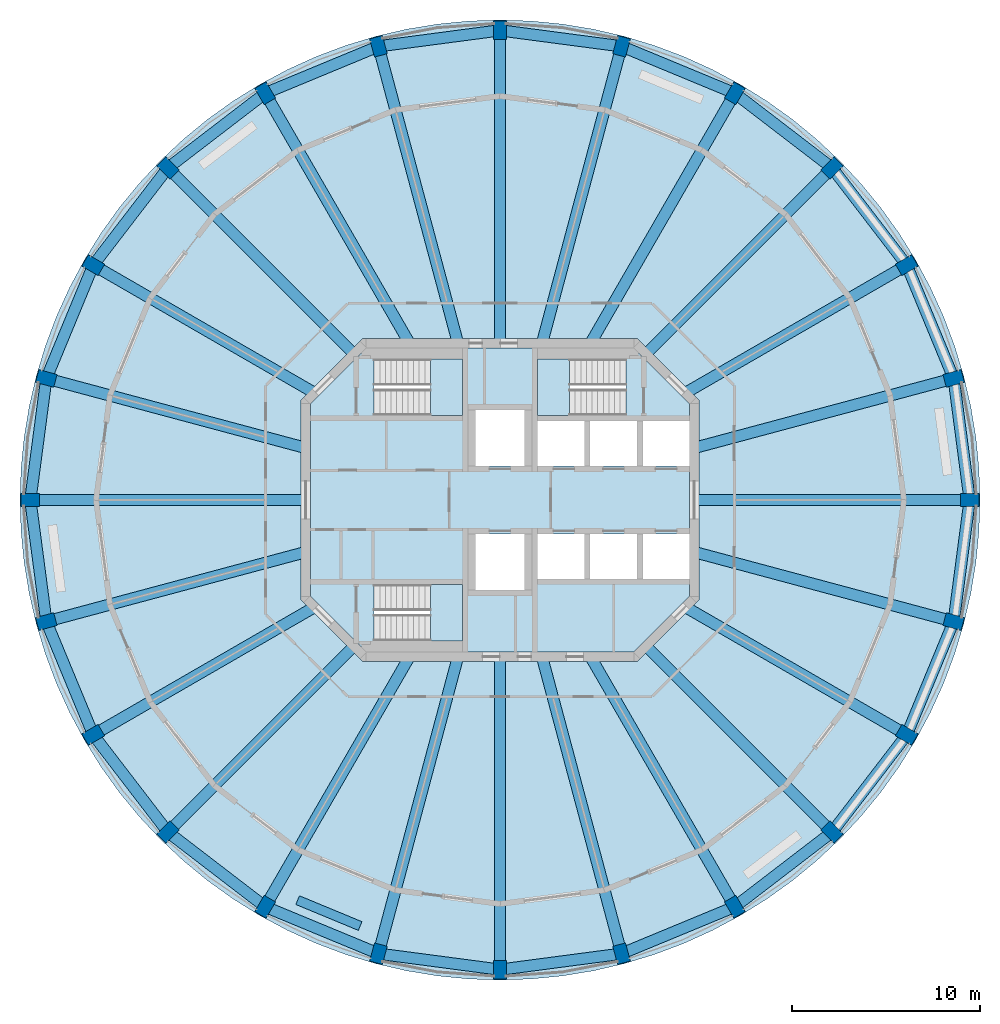
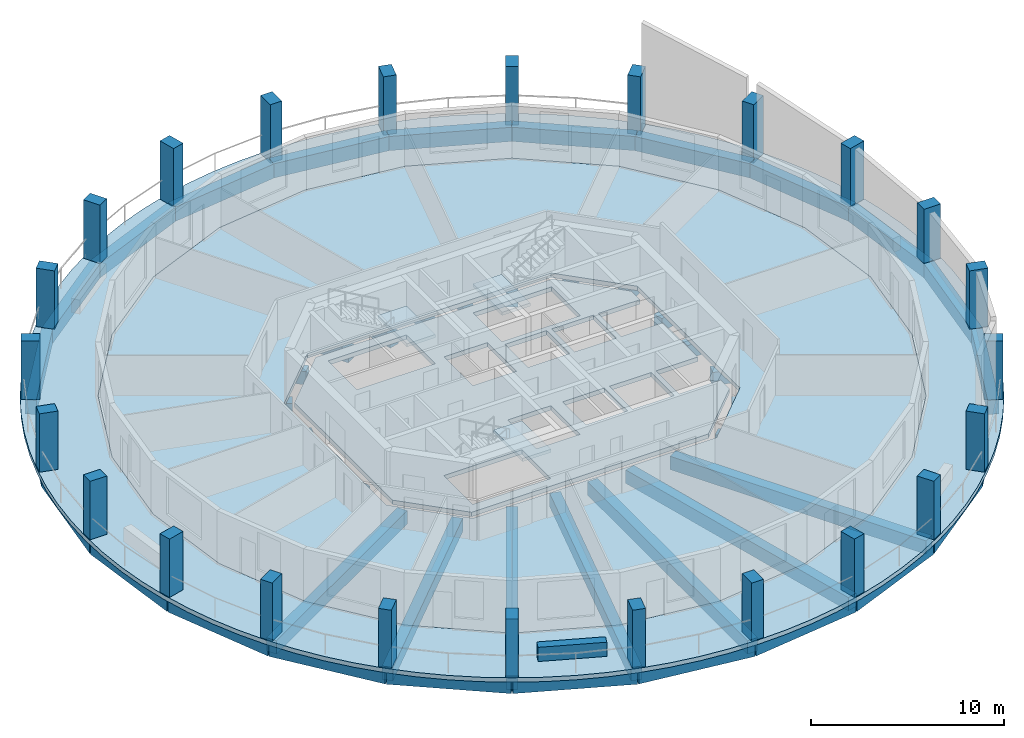
# One storey, part 1 of 8: 48 beams, 24 columns, 6 slabs, 1 wall, 3 elements without a shape of their own.
"""IFC4 building model written with IfcOpenShell, lengths in metres."""

from ifc_helpers import new_model, si_unit, direction, frame, frame_2d, origin, origin_2d, place, context, subcontext, project, spatial, polyline, rectangle, outline, extrude, material, layer, layer_set, material_profile, profile_set, type_object, element, aggregate, save


model = new_model("IFC4")

# Units and contexts
model_context = context("Model", 3, precision=1e-05, world=origin(), true_north=direction((0.0, 1.0)))
body_context = subcontext(model_context, "Body", "Model", "MODEL_VIEW")
ifc_project = project(units=[si_unit("LENGTHUNIT", "METRE"), si_unit("AREAUNIT", "SQUARE_METRE"), si_unit("VOLUMEUNIT", "CUBIC_METRE"), si_unit("PLANEANGLEUNIT", "RADIAN"), si_unit("MASSUNIT", "GRAM", prefix="KILO")], contexts=[model_context])

# Site, building, storey
site_placement = place(None, origin())
site = spatial("IfcSite", under=ifc_project, at=site_placement, CompositionType="ELEMENT")
building_placement = place(site_placement, origin())
building = spatial("IfcBuilding", under=site, at=building_placement, Name="Torre Triforio", CompositionType="ELEMENT")
storey_placement = place(building_placement, frame((0.0, 0.0, 287.10009765625)))
storey = spatial("IfcBuildingStorey", under=building, at=storey_placement, Name="L66", CompositionType="ELEMENT", Elevation=287.10009765625)

# Columns
ifc_material_1 = material(Name="Concrete C40", Category="concrete")
ifc_material_profile_1 = material_profile(ifc_material_1, rectangle(XDim=0.699951171875, YDim=1.0, at=origin_2d()), Name="RC 700x1000")
ifc_profile_set_1 = profile_set([ifc_material_profile_1], Name="Concrete C40")
column_type = type_object("IfcColumnType", Name="Pier RC 700x1000 C40", PredefinedType="COLUMN", material=ifc_profile_set_1)
column_placement = place(storey_placement, frame((25.0, 0.0, 0.0), z_axis=(0.0, 0.0, 1.0), x_axis=(0.0, 1.0, 0.0)))
element("IfcColumn", 1, at=column_placement, inside=storey, type_object=column_type, Name="COL.R.L66.00", PredefinedType="COLUMN", context=body_context, shape_type="SweptSolid", body=[
    extrude(rectangle(XDim=0.699951171875, YDim=1.0, at=origin_2d()), origin(), (0.0, 0.0, 1.0), 3.44140625),
])
for number, where, z_axis, x_axis, name in (
    (2, (24.148193359375, 6.470458984375, 0.0), (0.0, 0.0, 1.0), (-0.258819045103, 0.965925826289, 0.0), "COL.R.L66.01"),
    (3, (21.650634765625, 12.5, 0.0), (0.0, 0.0, 1.0), (-0.5, 0.866025403784, 0.0), "COL.R.L66.02"),
    (4, (17.677734375, 17.677734375, 0.0), (0.0, 0.0, 1.0), (-0.707106781187, 0.707106781187, 0.0), "COL.R.L66.03"),
    (5, (12.5, 21.650634765625, 0.0), (0.0, 0.0, 1.0), (-0.866025403784, 0.5, 0.0), "COL.R.L66.04"),
    (6, (6.470458984375, 24.148193359375, 0.0), (0.0, 0.0, 1.0), (-0.965925826289, 0.258819045103, 0.0), "COL.R.L66.05"),
    (7, (0.0, 25.0, 0.0), (0.0, 0.0, 1.0), (-1.0, 0.0, 0.0), "COL.R.L66.06"),
    (8, (-6.470458984375, 24.148193359375, 0.0), (0.0, 0.0, 1.0), (-0.965925826289, -0.258819045103, 0.0), "COL.R.L66.07"),
    (9, (-12.5, 21.650634765625, 0.0), (0.0, 0.0, 1.0), (-0.866025403784, -0.5, 0.0), "COL.R.L66.08"),
    (10, (-17.677734375, 17.677734375, 0.0), (0.0, 0.0, 1.0), (-0.707106781187, -0.707106781187, 0.0), "COL.R.L66.09"),
    (11, (-21.650634765625, 12.5, 0.0), (0.0, 0.0, 1.0), (-0.5, -0.866025403784, 0.0), "COL.R.L66.10"),
    (12, (-24.148193359375, 6.470458984375, 0.0), (0.0, 0.0, 1.0), (-0.258819045103, -0.965925826289, 0.0), "COL.R.L66.11"),
    (13, (-25.0, 0.0, 0.0), (0.0, 0.0, 1.0), (0.0, -1.0, 0.0), "COL.R.L66.12"),
    (14, (-24.148193359375, -6.470458984375, 0.0), (0.0, 0.0, 1.0), (0.258819045103, -0.965925826289, 0.0), "COL.R.L66.13"),
    (15, (-21.650634765625, -12.5, 0.0), (0.0, 0.0, 1.0), (0.5, -0.866025403784, 0.0), "COL.R.L66.14"),
    (16, (-17.677734375, -17.677734375, 0.0), (0.0, 0.0, 1.0), (0.707106781187, -0.707106781187, 0.0), "COL.R.L66.15"),
    (17, (-12.5, -21.650634765625, 0.0), (0.0, 0.0, 1.0), (0.866025403784, -0.5, 0.0), "COL.R.L66.16"),
    (18, (-6.470458984375, -24.148193359375, 0.0), (0.0, 0.0, 1.0), (0.965925826289, -0.258819045103, 0.0), "COL.R.L66.17"),
    (19, (0.0, -25.0, 0.0), (0.0, 0.0, 1.0), (1.0, 0.0, 0.0), "COL.R.L66.18"),
    (20, (6.470458984375, -24.148193359375, 0.0), (0.0, 0.0, 1.0), (0.965925826289, 0.258819045103, 0.0), "COL.R.L66.19"),
    (21, (12.5, -21.650634765625, 0.0), (0.0, 0.0, 1.0), (0.866025403784, 0.5, 0.0), "COL.R.L66.20"),
    (22, (17.677734375, -17.677734375, 0.0), (0.0, 0.0, 1.0), (0.707106781187, 0.707106781187, 0.0), "COL.R.L66.21"),
    (23, (21.650634765625, -12.5, 0.0), (0.0, 0.0, 1.0), (0.5, 0.866025403784, 0.0), "COL.R.L66.22"),
    (24, (24.148193359375, -6.470458984375, 0.0), (0.0, 0.0, 1.0), (0.258819045103, 0.965925826289, 0.0), "COL.R.L66.23"),
):
    element("IfcColumn", number, at=place(storey_placement, frame(where, z_axis=z_axis, x_axis=x_axis)), inside=storey, type_object=column_type, Name=name, PredefinedType="COLUMN", context=body_context, shape_type="SweptSolid", body=[
        extrude(rectangle(XDim=0.699951171875, YDim=1.0, at=origin_2d()), origin(), (0.0, 0.0, 1.0), 3.699951171875),
    ])

# Beams
ifc_material_profile_2 = material_profile(ifc_material_1, rectangle(XDim=0.60009765625, YDim=0.85009765625, at=origin_2d()), Name="RC 600x850")
ifc_profile_set_2 = profile_set([ifc_material_profile_2], Name="Concrete C40")
beam_type_1 = type_object("IfcBeamType", Name="Radial beam RC 600x850 C40", PredefinedType="BEAM", material=ifc_profile_set_2)
beam_1_placement = place(storey_placement, frame((10.35009765625, 0.0, -0.705078125), z_axis=(1.0, 0.0, 0.0), x_axis=(0.0, 1.0, 0.0)))
element("IfcBeam", 25, at=beam_1_placement, inside=storey, type_object=beam_type_1, Name="BM.R.L66.00", PredefinedType="BEAM", context=body_context, shape_type="SweptSolid", body=[
    extrude(rectangle(XDim=0.60009765625, YDim=0.85009765625, at=origin_2d()), origin(), (0.0, 0.0, 1.0), 14.64990234375),
])
beam_2_placement = place(storey_placement, frame((10.35009765625, 2.773193359375, -0.705078125), z_axis=(0.965924478271, 0.258824075923, 0.0), x_axis=(-0.258824075923, 0.965924478271, 0.0)))
element("IfcBeam", 26, at=beam_2_placement, inside=storey, type_object=beam_type_1, Name="BM.R.L66.01", PredefinedType="BEAM", context=body_context, shape_type="SweptSolid", body=[
    extrude(rectangle(XDim=0.60009765625, YDim=0.85009765625, at=origin_2d()), origin(), (0.0, 0.0, 1.0), 14.284912109375),
])
beam_3_placement = place(storey_placement, frame((9.860595703125, 5.693115234375, -0.705078125), z_axis=(0.866028503669, 0.499994630804, 0.0), x_axis=(-0.499994630804, 0.866028503669, 0.0)))
element("IfcBeam", 27, at=beam_3_placement, inside=storey, type_object=beam_type_1, Name="BM.R.L66.02", PredefinedType="BEAM", context=body_context, shape_type="SweptSolid", body=[
    extrude(rectangle(XDim=0.60009765625, YDim=0.85009765625, at=origin_2d()), origin(), (0.0, 0.0, 1.0), 13.614013671875),
])
beam_4_placement = place(storey_placement, frame((7.77685546875, 7.77685546875, -0.705078125), z_axis=(0.707106781187, 0.707106781187, 0.0), x_axis=(-0.707106781187, 0.707106781187, 0.0)))
element("IfcBeam", 28, at=beam_4_placement, inside=storey, type_object=beam_type_1, Name="BM.R.L66.03", PredefinedType="BEAM", context=body_context, shape_type="SweptSolid", body=[
    extrude(rectangle(XDim=0.60009765625, YDim=0.85009765625, at=origin_2d()), origin(), (0.0, 0.0, 1.0), 14.001953125),
])
beam_5_placement = place(storey_placement, frame((4.82080078125, 8.35009765625, -0.705078125), z_axis=(0.500006374672, 0.866021723334, 0.0), x_axis=(-0.866021723334, 0.500006374672, 0.0)))
element("IfcBeam", 29, at=beam_5_placement, inside=storey, type_object=beam_type_1, Name="BM.R.L66.04", PredefinedType="BEAM", context=body_context, shape_type="SweptSolid", body=[
    extrude(rectangle(XDim=0.60009765625, YDim=0.85009765625, at=origin_2d()), origin(), (0.0, 0.0, 1.0), 15.358154296875),
])
beam_6_placement = place(storey_placement, frame((2.2373046875, 8.35009765625, -0.705078125), z_axis=(0.258822884948, 0.965924797397, 0.0), x_axis=(-0.965924797397, 0.258822884948, 0.0)))
element("IfcBeam", 30, at=beam_6_placement, inside=storey, type_object=beam_type_1, Name="BM.R.L66.05", PredefinedType="BEAM", context=body_context, shape_type="SweptSolid", body=[
    extrude(rectangle(XDim=0.60009765625, YDim=0.85009765625, at=origin_2d()), origin(), (0.0, 0.0, 1.0), 16.35546875),
])
beam_7_placement = place(storey_placement, frame((0.0, 8.35009765625, -0.705078125), z_axis=(0.0, 1.0, 0.0), x_axis=(-1.0, 0.0, 0.0)))
element("IfcBeam", 31, at=beam_7_placement, inside=storey, type_object=beam_type_1, Name="BM.R.L66.06", PredefinedType="BEAM", context=body_context, shape_type="SweptSolid", body=[
    extrude(rectangle(XDim=0.60009765625, YDim=0.85009765625, at=origin_2d()), origin(), (0.0, 0.0, 1.0), 16.64990234375),
])
beam_8_placement = place(storey_placement, frame((-2.2373046875, 8.35009765625, -0.705078125), z_axis=(-0.258822884948, 0.965924797397, 0.0), x_axis=(-0.965924797397, -0.258822884948, 0.0)))
element("IfcBeam", 32, at=beam_8_placement, inside=storey, type_object=beam_type_1, Name="BM.R.L66.07", PredefinedType="BEAM", context=body_context, shape_type="SweptSolid", body=[
    extrude(rectangle(XDim=0.60009765625, YDim=0.85009765625, at=origin_2d()), origin(), (0.0, 0.0, 1.0), 16.35546875),
])
beam_9_placement = place(storey_placement, frame((-4.82080078125, 8.35009765625, -0.705078125), z_axis=(-0.500006374672, 0.866021723334, 0.0), x_axis=(-0.866021723334, -0.500006374672, 0.0)))
element("IfcBeam", 33, at=beam_9_placement, inside=storey, type_object=beam_type_1, Name="BM.R.L66.08", PredefinedType="BEAM", context=body_context, shape_type="SweptSolid", body=[
    extrude(rectangle(XDim=0.60009765625, YDim=0.85009765625, at=origin_2d()), origin(), (0.0, 0.0, 1.0), 15.358154296875),
])
beam_10_placement = place(storey_placement, frame((-7.77685546875, 7.77685546875, -0.705078125), z_axis=(-0.707106781187, 0.707106781187, 0.0), x_axis=(-0.707106781187, -0.707106781187, 0.0)))
element("IfcBeam", 34, at=beam_10_placement, inside=storey, type_object=beam_type_1, Name="BM.R.L66.09", PredefinedType="BEAM", context=body_context, shape_type="SweptSolid", body=[
    extrude(rectangle(XDim=0.60009765625, YDim=0.85009765625, at=origin_2d()), origin(), (0.0, 0.0, 1.0), 14.001953125),
])
beam_11_placement = place(storey_placement, frame((-9.860595703125, 5.693115234375, -0.705078125), z_axis=(-0.866028503669, 0.499994630804, 0.0), x_axis=(-0.499994630804, -0.866028503669, 0.0)))
element("IfcBeam", 35, at=beam_11_placement, inside=storey, type_object=beam_type_1, Name="BM.R.L66.10", PredefinedType="BEAM", context=body_context, shape_type="SweptSolid", body=[
    extrude(rectangle(XDim=0.60009765625, YDim=0.85009765625, at=origin_2d()), origin(), (0.0, 0.0, 1.0), 13.614013671875),
])
beam_12_placement = place(storey_placement, frame((-10.35009765625, 2.773193359375, -0.705078125), z_axis=(-0.965924478271, 0.258824075923, 0.0), x_axis=(-0.258824075923, -0.965924478271, 0.0)))
element("IfcBeam", 36, at=beam_12_placement, inside=storey, type_object=beam_type_1, Name="BM.R.L66.11", PredefinedType="BEAM", context=body_context, shape_type="SweptSolid", body=[
    extrude(rectangle(XDim=0.60009765625, YDim=0.85009765625, at=origin_2d()), origin(), (0.0, 0.0, 1.0), 14.284912109375),
])
beam_13_placement = place(storey_placement, frame((-10.35009765625, 0.0, -0.705078125), z_axis=(-1.0, 0.0, 0.0), x_axis=(0.0, -1.0, 0.0)))
element("IfcBeam", 37, at=beam_13_placement, inside=storey, type_object=beam_type_1, Name="BM.R.L66.12", PredefinedType="BEAM", context=body_context, shape_type="SweptSolid", body=[
    extrude(rectangle(XDim=0.60009765625, YDim=0.85009765625, at=origin_2d()), origin(), (0.0, 0.0, 1.0), 14.64990234375),
])
beam_14_placement = place(storey_placement, frame((-10.35009765625, -2.773193359375, -0.705078125), z_axis=(-0.965924478271, -0.258824075923, 0.0), x_axis=(0.258824075923, -0.965924478271, 0.0)))
element("IfcBeam", 38, at=beam_14_placement, inside=storey, type_object=beam_type_1, Name="BM.R.L66.13", PredefinedType="BEAM", context=body_context, shape_type="SweptSolid", body=[
    extrude(rectangle(XDim=0.60009765625, YDim=0.85009765625, at=origin_2d()), origin(), (0.0, 0.0, 1.0), 14.284912109375),
])
beam_15_placement = place(storey_placement, frame((-9.860595703125, -5.693115234375, -0.705078125), z_axis=(-0.866028503669, -0.499994630804, 0.0), x_axis=(0.499994630804, -0.866028503669, 0.0)))
element("IfcBeam", 39, at=beam_15_placement, inside=storey, type_object=beam_type_1, Name="BM.R.L66.14", PredefinedType="BEAM", context=body_context, shape_type="SweptSolid", body=[
    extrude(rectangle(XDim=0.60009765625, YDim=0.85009765625, at=origin_2d()), origin(), (0.0, 0.0, 1.0), 13.614013671875),
])
beam_16_placement = place(storey_placement, frame((-7.77685546875, -7.77685546875, -0.705078125), z_axis=(-0.707106781187, -0.707106781187, 0.0), x_axis=(0.707106781187, -0.707106781187, 0.0)))
element("IfcBeam", 40, at=beam_16_placement, inside=storey, type_object=beam_type_1, Name="BM.R.L66.15", PredefinedType="BEAM", context=body_context, shape_type="SweptSolid", body=[
    extrude(rectangle(XDim=0.60009765625, YDim=0.85009765625, at=origin_2d()), origin(), (0.0, 0.0, 1.0), 14.001953125),
])
beam_17_placement = place(storey_placement, frame((-4.82080078125, -8.35009765625, -0.705078125), z_axis=(-0.500006374672, -0.866021723334, 0.0), x_axis=(0.866021723334, -0.500006374672, 0.0)))
element("IfcBeam", 41, at=beam_17_placement, inside=storey, type_object=beam_type_1, Name="BM.R.L66.16", PredefinedType="BEAM", context=body_context, shape_type="SweptSolid", body=[
    extrude(rectangle(XDim=0.60009765625, YDim=0.85009765625, at=origin_2d()), origin(), (0.0, 0.0, 1.0), 15.358154296875),
])
beam_18_placement = place(storey_placement, frame((-2.2373046875, -8.35009765625, -0.705078125), z_axis=(-0.258822884948, -0.965924797397, 0.0), x_axis=(0.965924797397, -0.258822884948, 0.0)))
element("IfcBeam", 42, at=beam_18_placement, inside=storey, type_object=beam_type_1, Name="BM.R.L66.17", PredefinedType="BEAM", context=body_context, shape_type="SweptSolid", body=[
    extrude(rectangle(XDim=0.60009765625, YDim=0.85009765625, at=origin_2d()), origin(), (0.0, 0.0, 1.0), 16.35546875),
])
beam_19_placement = place(storey_placement, frame((0.0, -8.35009765625, -0.705078125), z_axis=(0.0, -1.0, 0.0), x_axis=(1.0, 0.0, 0.0)))
element("IfcBeam", 43, at=beam_19_placement, inside=storey, type_object=beam_type_1, Name="BM.R.L66.18", PredefinedType="BEAM", context=body_context, shape_type="SweptSolid", body=[
    extrude(rectangle(XDim=0.60009765625, YDim=0.85009765625, at=origin_2d()), origin(), (0.0, 0.0, 1.0), 16.64990234375),
])
beam_20_placement = place(storey_placement, frame((2.2373046875, -8.35009765625, -0.705078125), z_axis=(0.258822884948, -0.965924797397, 0.0), x_axis=(0.965924797397, 0.258822884948, 0.0)))
element("IfcBeam", 44, at=beam_20_placement, inside=storey, type_object=beam_type_1, Name="BM.R.L66.19", PredefinedType="BEAM", context=body_context, shape_type="SweptSolid", body=[
    extrude(rectangle(XDim=0.60009765625, YDim=0.85009765625, at=origin_2d()), origin(), (0.0, 0.0, 1.0), 16.35546875),
])
beam_21_placement = place(storey_placement, frame((4.82080078125, -8.35009765625, -0.705078125), z_axis=(0.500006374672, -0.866021723334, 0.0), x_axis=(0.866021723334, 0.500006374672, 0.0)))
element("IfcBeam", 45, at=beam_21_placement, inside=storey, type_object=beam_type_1, Name="BM.R.L66.20", PredefinedType="BEAM", context=body_context, shape_type="SweptSolid", body=[
    extrude(rectangle(XDim=0.60009765625, YDim=0.85009765625, at=origin_2d()), origin(), (0.0, 0.0, 1.0), 15.358154296875),
])
beam_22_placement = place(storey_placement, frame((7.77685546875, -7.77685546875, -0.705078125), z_axis=(0.707106781187, -0.707106781187, 0.0), x_axis=(0.707106781187, 0.707106781187, 0.0)))
element("IfcBeam", 46, at=beam_22_placement, inside=storey, type_object=beam_type_1, Name="BM.R.L66.21", PredefinedType="BEAM", context=body_context, shape_type="SweptSolid", body=[
    extrude(rectangle(XDim=0.60009765625, YDim=0.85009765625, at=origin_2d()), origin(), (0.0, 0.0, 1.0), 14.001953125),
])
beam_23_placement = place(storey_placement, frame((9.860595703125, -5.693115234375, -0.705078125), z_axis=(0.866028503669, -0.499994630804, 0.0), x_axis=(0.499994630804, 0.866028503669, 0.0)))
element("IfcBeam", 47, at=beam_23_placement, inside=storey, type_object=beam_type_1, Name="BM.R.L66.22", PredefinedType="BEAM", context=body_context, shape_type="SweptSolid", body=[
    extrude(rectangle(XDim=0.60009765625, YDim=0.85009765625, at=origin_2d()), origin(), (0.0, 0.0, 1.0), 13.614013671875),
])
beam_24_placement = place(storey_placement, frame((10.35009765625, -2.773193359375, -0.705078125), z_axis=(0.965924478271, -0.258824075923, 0.0), x_axis=(0.258824075923, 0.965924478271, 0.0)))
element("IfcBeam", 48, at=beam_24_placement, inside=storey, type_object=beam_type_1, Name="BM.R.L66.23", PredefinedType="BEAM", context=body_context, shape_type="SweptSolid", body=[
    extrude(rectangle(XDim=0.60009765625, YDim=0.85009765625, at=origin_2d()), origin(), (0.0, 0.0, 1.0), 14.284912109375),
])
ifc_material_profile_3 = material_profile(ifc_material_1, rectangle(XDim=0.60009765625, YDim=0.89990234375, at=origin_2d()), Name="RC 600x900")
ifc_profile_set_3 = profile_set([ifc_material_profile_3], Name="Concrete C40")
beam_type_2 = type_object("IfcBeamType", Name="Spandrel beam RC 600x900 C40", PredefinedType="SPANDREL", material=ifc_profile_set_3)
for number, where, z_axis, x_axis, name in (
    (49, (25.0, 0.0, -0.72998046875), (-0.130519347444, 0.991445762482, 0.0), (-0.991445762482, -0.130519347444, 0.0), "BM.S.L66.00"),
    (50, (24.148193359375, 6.470458984375, -0.72998046875), (-0.382688785449, 0.923877315173, 0.0), (-0.923877315173, -0.382688785449, 0.0), "BM.S.L66.01"),
    (51, (21.650634765625, 12.5, -0.72998046875), (-0.608750344722, 0.793361845441, 0.0), (-0.793361845441, -0.608750344722, 0.0), "BM.S.L66.02"),
    (52, (17.677734375, 17.677734375, -0.72998046875), (-0.793361845441, 0.608750344722, 0.0), (-0.608750344722, -0.793361845441, 0.0), "BM.S.L66.03"),
    (53, (12.5, 21.650634765625, -0.72998046875), (-0.923877315173, 0.382688785449, 0.0), (-0.382688785449, -0.923877315173, 0.0), "BM.S.L66.04"),
    (54, (6.470458984375, 24.148193359375, -0.72998046875), (-0.991445762482, 0.130519347444, 0.0), (-0.130519347444, -0.991445762482, 0.0), "BM.S.L66.05"),
    (55, (0.0, 25.0, -0.72998046875), (-0.991445762482, -0.130519347444, 0.0), (0.130519347444, -0.991445762482, 0.0), "BM.S.L66.06"),
    (56, (-6.470458984375, 24.148193359375, -0.72998046875), (-0.923877315173, -0.382688785449, 0.0), (0.382688785449, -0.923877315173, 0.0), "BM.S.L66.07"),
    (57, (-12.5, 21.650634765625, -0.72998046875), (-0.793361845441, -0.608750344722, 0.0), (0.608750344722, -0.793361845441, 0.0), "BM.S.L66.08"),
    (58, (-17.677734375, 17.677734375, -0.72998046875), (-0.608750344722, -0.793361845441, 0.0), (0.793361845441, -0.608750344722, 0.0), "BM.S.L66.09"),
    (59, (-21.650634765625, 12.5, -0.72998046875), (-0.382688785449, -0.923877315173, 0.0), (0.923877315173, -0.382688785449, 0.0), "BM.S.L66.10"),
    (60, (-24.148193359375, 6.470458984375, -0.72998046875), (-0.130519347444, -0.991445762482, 0.0), (0.991445762482, -0.130519347444, 0.0), "BM.S.L66.11"),
    (61, (-25.0, 0.0, -0.72998046875), (0.130519347444, -0.991445762482, 0.0), (0.991445762482, 0.130519347444, 0.0), "BM.S.L66.12"),
    (62, (-24.148193359375, -6.470458984375, -0.72998046875), (0.382688785449, -0.923877315173, 0.0), (0.923877315173, 0.382688785449, 0.0), "BM.S.L66.13"),
    (63, (-21.650634765625, -12.5, -0.72998046875), (0.608750344722, -0.793361845441, 0.0), (0.793361845441, 0.608750344722, 0.0), "BM.S.L66.14"),
    (64, (-17.677734375, -17.677734375, -0.72998046875), (0.793361845441, -0.608750344722, 0.0), (0.608750344722, 0.793361845441, 0.0), "BM.S.L66.15"),
    (65, (-12.5, -21.650634765625, -0.72998046875), (0.923877315173, -0.382688785449, 0.0), (0.382688785449, 0.923877315173, 0.0), "BM.S.L66.16"),
    (66, (-6.470458984375, -24.148193359375, -0.72998046875), (0.991445762482, -0.130519347444, 0.0), (0.130519347444, 0.991445762482, 0.0), "BM.S.L66.17"),
    (67, (0.0, -25.0, -0.72998046875), (0.991445762482, 0.130519347444, 0.0), (-0.130519347444, 0.991445762482, 0.0), "BM.S.L66.18"),
    (68, (6.470458984375, -24.148193359375, -0.72998046875), (0.923877315173, 0.382688785449, 0.0), (-0.382688785449, 0.923877315173, 0.0), "BM.S.L66.19"),
    (69, (12.5, -21.650634765625, -0.72998046875), (0.793361845441, 0.608750344722, 0.0), (-0.608750344722, 0.793361845441, 0.0), "BM.S.L66.20"),
    (70, (17.677734375, -17.677734375, -0.72998046875), (0.608750344722, 0.793361845441, 0.0), (-0.793361845441, 0.608750344722, 0.0), "BM.S.L66.21"),
    (71, (21.650634765625, -12.5, -0.72998046875), (0.382688785449, 0.923877315173, 0.0), (-0.923877315173, 0.382688785449, 0.0), "BM.S.L66.22"),
    (72, (24.148193359375, -6.470458984375, -0.72998046875), (0.130519347444, 0.991445762482, 0.0), (-0.991445762482, 0.130519347444, 0.0), "BM.S.L66.23"),
):
    element("IfcBeam", number, at=place(storey_placement, frame(where, z_axis=z_axis, x_axis=x_axis)), inside=storey, type_object=beam_type_2, Name=name, PredefinedType="SPANDREL", context=body_context, shape_type="SweptSolid", body=[
        extrude(rectangle(XDim=0.60009765625, YDim=0.89990234375, at=origin_2d()), origin(), (0.0, 0.0, 1.0), 6.5263671875),
    ])

# Slabs
ifc_layer_1 = layer(ifc_material_1, 0.280029296875)
ifc_layer_set_1 = layer_set([ifc_layer_1], Name="Concrete C40")
slab_type_1 = type_object("IfcSlabType", Name="Core floor slab 280 mm C40 REI 120", PredefinedType="FLOOR", material=ifc_layer_set_1)
slab_1_placement = place(storey_placement, frame((0.0, 0.0, -0.280029296875)))
element("IfcSlab", 73, at=slab_1_placement, inside=storey, type_object=slab_type_1, Name="Core floor slab", PredefinedType="FLOOR", context=body_context, shape_type="SweptSolid", body=[
    extrude(outline(polyline([(10.10009765625, -5.10009765625), (7.10009765625, -8.10009765625), (-7.10009765625, -8.10009765625), (-10.10009765625, -5.10009765625), (-10.10009765625, 5.10009765625), (-7.10009765625, 8.10009765625), (7.10009765625, 8.10009765625), (10.10009765625, 5.10009765625), (10.10009765625, 4.199951171875), (7.60009765625, 4.199951171875), (7.60009765625, 1.800048828125), (10.10009765625, 1.800048828125), (10.10009765625, -1.800048828125), (7.60009765625, -1.800048828125), (7.60009765625, -4.199951171875), (10.10009765625, -4.199951171875), (10.10009765625, -5.10009765625)]), holes=[polyline([(-6.696044921875, -4.5), (-6.696044921875, -7.5), (-2.0, -7.5), (-2.0, -4.5), (-6.696044921875, -4.5)]), polyline([(-1.300048828125, -1.800048828125), (-1.300048828125, -4.800048828125), (1.300048828125, -4.800048828125), (1.300048828125, -1.800048828125), (-1.300048828125, -1.800048828125)]), polyline([(2.0, -1.800048828125), (2.0, -4.199951171875), (4.5, -4.199951171875), (4.5, -1.800048828125), (2.0, -1.800048828125)]), polyline([(4.5, 4.199951171875), (2.0, 4.199951171875), (2.0, 1.800048828125), (4.5, 1.800048828125), (4.5, 4.199951171875)]), polyline([(1.300048828125, 4.800048828125), (-1.300048828125, 4.800048828125), (-1.300048828125, 1.800048828125), (1.300048828125, 1.800048828125), (1.300048828125, 4.800048828125)]), polyline([(-6.696044921875, 7.5), (-6.696044921875, 4.5), (-2.0, 4.5), (-2.0, 7.5), (-6.696044921875, 7.5)]), polyline([(7.300048828125, -1.800048828125), (4.800048828125, -1.800048828125), (4.800048828125, -4.199951171875), (7.300048828125, -4.199951171875), (7.300048828125, -1.800048828125)]), polyline([(4.800048828125, 4.199951171875), (4.800048828125, 1.800048828125), (7.300048828125, 1.800048828125), (7.300048828125, 4.199951171875), (4.800048828125, 4.199951171875)]), polyline([(6.696044921875, 7.5), (2.0, 7.5), (2.0, 4.5), (6.696044921875, 4.5), (6.696044921875, 7.5)])]), origin(), (0.0, 0.0, 1.0), 0.280029296875),
])
ifc_layer_2 = layer(ifc_material_1, 0.280029296875)
ifc_layer_set_2 = layer_set([ifc_layer_2], Name="Concrete C40")
slab_type_2 = type_object("IfcSlabType", Name="Floor slab 280 C40", PredefinedType="FLOOR", material=ifc_layer_set_2)
slab_2_placement = place(storey_placement, frame((0.0, 0.0, -0.280029296875)))
element("IfcSlab", 74, at=slab_2_placement, inside=storey, type_object=slab_type_2, Name="SL.L66", PredefinedType="FLOOR", context=body_context, shape_type="SweptSolid", body=[
    extrude(outline(polyline([(18.61962890625, -10.75), (20.767333984375, -5.564697265625), (21.5, 0.0), (20.767333984375, 5.564697265625), (18.61962890625, 10.75), (15.202880859375, 15.202880859375), (10.75, 18.61962890625), (5.564697265625, 20.767333984375), (0.0, 21.5), (-5.564697265625, 20.767333984375), (-10.75, 18.61962890625), (-15.202880859375, 15.202880859375), (-18.61962890625, 10.75), (-20.767333984375, 5.564697265625), (-21.5, 0.0), (-20.767333984375, -5.564697265625), (-18.61962890625, -10.75), (-15.202880859375, -15.202880859375), (-10.75, -18.61962890625), (-5.564697265625, -20.767333984375), (0.0, -21.5), (5.564697265625, -20.767333984375), (10.75, -18.61962890625), (15.202880859375, -15.202880859375), (18.61962890625, -10.75)]), holes=[polyline([(10.60009765625, 5.30712890625), (10.60009765625, -5.30712890625), (7.30712890625, -8.60009765625), (-7.30712890625, -8.60009765625), (-10.60009765625, -5.30712890625), (-10.60009765625, 5.30712890625), (-7.30712890625, 8.60009765625), (7.30712890625, 8.60009765625), (10.60009765625, 5.30712890625)])]), origin(), (0.0, 0.0, 1.0), 0.280029296875),
])
ifc_layer_3 = layer(ifc_material_1, 0.280029296875)
ifc_layer_set_3 = layer_set([ifc_layer_3], Name="Concrete C40")
slab_type_3 = type_object("IfcSlabType", Name="Loggia slab 280 C40", PredefinedType="FLOOR", material=ifc_layer_set_3)
slab_3_placement = place(storey_placement, frame((0.0, 0.0, -0.280029296875)))
element("IfcSlab", 75, at=slab_3_placement, inside=storey, type_object=slab_type_3, Name="SL.L66.LG", PredefinedType="FLOOR", context=body_context, shape_type="SweptSolid", body=[
    extrude(outline(polyline([(25.495361328125, -1.671142578125), (25.550048828125, 0.0), (25.495361328125, 1.671142578125), (25.331298828125, 3.3349609375), (25.05908203125, 4.984619140625), (24.679443359375, 6.61279296875), (24.194091796875, 8.212890625), (23.605224609375, 9.777587890625), (22.9150390625, 11.300537109375), (22.126953125, 12.77490234375), (21.244140625, 14.19482421875), (20.270263671875, 15.553955078125), (19.20947265625, 16.84619140625), (18.066650390625, 18.066650390625), (16.84619140625, 19.20947265625), (15.553955078125, 20.270263671875), (14.19482421875, 21.244140625), (12.77490234375, 22.126953125), (11.300537109375, 22.9150390625), (9.777587890625, 23.605224609375), (8.212890625, 24.194091796875), (6.61279296875, 24.679443359375), (4.984619140625, 25.05908203125), (3.3349609375, 25.331298828125), (1.671142578125, 25.495361328125), (0.0, 25.550048828125), (-1.671142578125, 25.495361328125), (-3.3349609375, 25.331298828125), (-4.984619140625, 25.05908203125), (-6.61279296875, 24.679443359375), (-8.212890625, 24.194091796875), (-9.777587890625, 23.605224609375), (-11.300537109375, 22.9150390625), (-12.77490234375, 22.126953125), (-14.19482421875, 21.244140625), (-15.553955078125, 20.270263671875), (-16.84619140625, 19.20947265625), (-18.066650390625, 18.066650390625), (-19.20947265625, 16.84619140625), (-20.270263671875, 15.553955078125), (-21.244140625, 14.19482421875), (-22.126953125, 12.77490234375), (-22.9150390625, 11.300537109375), (-23.605224609375, 9.777587890625), (-24.194091796875, 8.212890625), (-24.679443359375, 6.61279296875), (-25.05908203125, 4.984619140625), (-25.331298828125, 3.3349609375), (-25.495361328125, 1.671142578125), (-25.550048828125, 0.0), (-25.495361328125, -1.671142578125), (-25.331298828125, -3.3349609375), (-25.05908203125, -4.984619140625), (-24.679443359375, -6.61279296875), (-24.194091796875, -8.212890625), (-23.605224609375, -9.777587890625), (-22.9150390625, -11.300537109375), (-22.126953125, -12.77490234375), (-21.244140625, -14.19482421875), (-20.270263671875, -15.553955078125), (-19.20947265625, -16.84619140625), (-18.066650390625, -18.066650390625), (-16.84619140625, -19.20947265625), (-15.553955078125, -20.270263671875), (-14.19482421875, -21.244140625), (-12.77490234375, -22.126953125), (-11.300537109375, -22.9150390625), (-9.777587890625, -23.605224609375), (-8.212890625, -24.194091796875), (-6.61279296875, -24.679443359375), (-4.984619140625, -25.05908203125), (-3.3349609375, -25.331298828125), (-1.671142578125, -25.495361328125), (0.0, -25.550048828125), (1.671142578125, -25.495361328125), (3.3349609375, -25.331298828125), (4.984619140625, -25.05908203125), (6.61279296875, -24.679443359375), (8.212890625, -24.194091796875), (9.777587890625, -23.605224609375), (11.300537109375, -22.9150390625), (12.77490234375, -22.126953125), (14.19482421875, -21.244140625), (15.553955078125, -20.270263671875), (16.84619140625, -19.20947265625), (18.066650390625, -18.066650390625), (19.20947265625, -16.84619140625), (20.270263671875, -15.553955078125), (21.244140625, -14.19482421875), (22.126953125, -12.77490234375), (22.9150390625, -11.300537109375), (23.605224609375, -9.777587890625), (24.194091796875, -8.212890625), (24.679443359375, -6.61279296875), (25.05908203125, -4.984619140625), (25.331298828125, -3.3349609375), (25.495361328125, -1.671142578125)]), holes=[polyline([(20.767333984375, 5.564697265625), (21.5, 0.0), (20.767333984375, -5.564697265625), (18.61962890625, -10.75), (15.202880859375, -15.202880859375), (10.75, -18.61962890625), (5.564697265625, -20.767333984375), (0.0, -21.5), (-5.564697265625, -20.767333984375), (-10.75, -18.61962890625), (-15.202880859375, -15.202880859375), (-18.61962890625, -10.75), (-20.767333984375, -5.564697265625), (-21.5, 0.0), (-20.767333984375, 5.564697265625), (-18.61962890625, 10.75), (-15.202880859375, 15.202880859375), (-10.75, 18.61962890625), (-5.564697265625, 20.767333984375), (0.0, 21.5), (5.564697265625, 20.767333984375), (10.75, 18.61962890625), (15.202880859375, 15.202880859375), (18.61962890625, 10.75), (20.767333984375, 5.564697265625)])]), origin(), (0.0, 0.0, 1.0), 0.280029296875),
])

# Stair, slab
stair_type = type_object("IfcStairType", Name="STAIR HALF-TURN", PredefinedType="HALF_TURN_STAIR", material=ifc_material_1)
stair_1_placement = place(storey_placement, origin())
stair_1 = element("IfcStair", 76, at=stair_1_placement, inside=storey, type_object=stair_type, Name="Exit stair 1", PredefinedType="HALF_TURN_STAIR")
ifc_layer_4 = layer(ifc_material_1, 0.199951171875)
ifc_layer_set_4 = layer_set([ifc_layer_4], Name="Concrete C40")
slab_type_4 = type_object("IfcSlabType", Name="STAIR LANDING 200", PredefinedType="LANDING", material=ifc_layer_set_4)
slab_4_placement = place(storey_placement, frame((0.0, 0.0, 1.64990234375)))
slab_4 = element("IfcSlab", 77, at=slab_4_placement, type_object=slab_type_4, Name="ST1 landing 1", PredefinedType="LANDING", context=body_context, shape_type="SweptSolid", body=[
    extrude(outline(polyline([(-2.0, 4.5), (-2.0, 7.5), (-3.699951171875, 7.5), (-3.699951171875, 4.5), (-2.0, 4.5)])), origin(), (0.0, 0.0, 1.0), 0.199951171875),
])
aggregate(stair_1, [slab_4])

stair_2_placement = place(storey_placement, origin())
stair_2 = element("IfcStair", 78, at=stair_2_placement, inside=storey, type_object=stair_type, Name="Exit stair 2", PredefinedType="HALF_TURN_STAIR")
slab_5_placement = place(storey_placement, frame((0.0, 0.0, 1.64990234375)))
slab_5 = element("IfcSlab", 79, at=slab_5_placement, type_object=slab_type_4, Name="ST2 landing 1", PredefinedType="LANDING", context=body_context, shape_type="SweptSolid", body=[
    extrude(outline(polyline([(3.699951171875, 4.5), (3.699951171875, 7.5), (2.0, 7.5), (2.0, 4.5), (3.699951171875, 4.5)])), origin(), (0.0, 0.0, 1.0), 0.199951171875),
])
aggregate(stair_2, [slab_5])

stair_3_placement = place(storey_placement, origin())
stair_3 = element("IfcStair", 80, at=stair_3_placement, inside=storey, type_object=stair_type, Name="Exit stair 3", PredefinedType="HALF_TURN_STAIR")
slab_6_placement = place(storey_placement, frame((0.0, 0.0, 1.64990234375)))
slab_6 = element("IfcSlab", 81, at=slab_6_placement, type_object=slab_type_4, Name="ST3 landing 1", PredefinedType="LANDING", context=body_context, shape_type="SweptSolid", body=[
    extrude(outline(polyline([(-2.0, -7.5), (-2.0, -4.5), (-3.699951171875, -4.5), (-3.699951171875, -7.5), (-2.0, -7.5)])), origin(), (0.0, 0.0, 1.0), 0.199951171875),
])
aggregate(stair_3, [slab_6])

# Wall
ifc_material_2 = material(Name="Limestone cladding", Category="masonry")
ifc_layer_5 = layer(ifc_material_2, 0.10009765625)
ifc_layer_6 = layer(ifc_material_1, 0.39990234375)
ifc_layer_set_5 = layer_set([ifc_layer_5, ifc_layer_6], Name="Limestone cladding / Concrete C40")
wall_type = type_object("IfcWallType", Name="Planter wall 500", PredefinedType="PARAPET", material=ifc_layer_set_5)
wall_placement = place(storey_placement, frame((-10.770751953125, -21.299560546875, 0.0), z_axis=(0.0, 0.0, 1.0), x_axis=(0.923875488976, -0.382693194178, 0.0)))
element("IfcWall", 82, at=wall_placement, inside=storey, type_object=wall_type, Name="Planter L66 bay 17", PredefinedType="PARAPET", context=body_context, shape_type="SweptSolid", body=[
    extrude(rectangle(XDim=3.599853515625, YDim=0.5, at=frame_2d((1.7998046875, 0.0))), origin(), (0.0, 0.0, 1.0), 0.89990234375),
])

save(model, "model.ifc")
